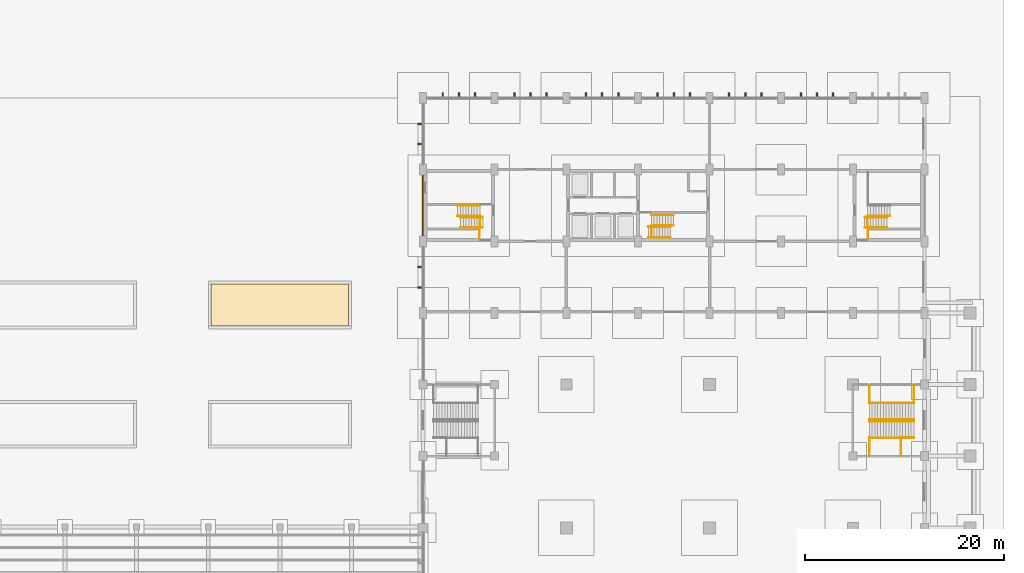
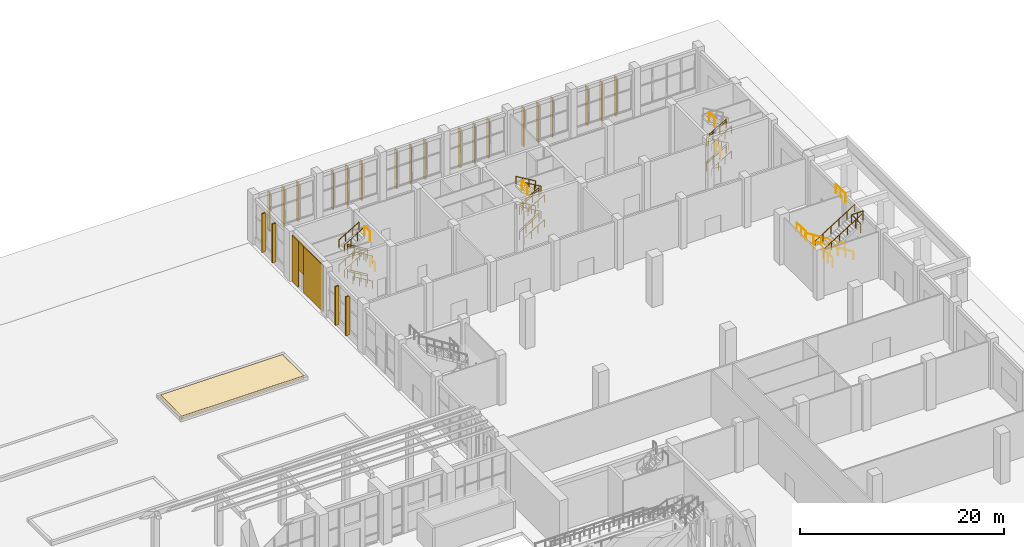
# One storey, part 68 of 70: 40 railings, 27 coverings.
"""IFC4 building model written with IfcOpenShell, lengths in metres."""

from ifc_helpers import new_model, si_unit, direction, frame, frame_2d, origin, origin_2d, place, context, subcontext, project, spatial, polyline, rectangle, circle, outline, extrude, material, layer, layer_set, type_object, element, save


model = new_model("IFC4")

# Units and contexts
model_context = context("Model", 3, precision=1e-05, world=origin(), true_north=direction((0.0, 1.0)))
body_context = subcontext(model_context, "Body", "Model", "MODEL_VIEW")
ifc_project = project(units=[si_unit("LENGTHUNIT", "METRE"), si_unit("AREAUNIT", "SQUARE_METRE"), si_unit("VOLUMEUNIT", "CUBIC_METRE"), si_unit("PLANEANGLEUNIT", "RADIAN"), si_unit("MASSUNIT", "GRAM", prefix="KILO")], contexts=[model_context])

# Site, building, storey
site_placement = place(None, origin())
site = spatial("IfcSite", under=ifc_project, at=site_placement, CompositionType="ELEMENT")
building_placement = place(site_placement, origin())
building = spatial("IfcBuilding", under=site, at=building_placement, Name="Vermilion Court Aquatics Centre", CompositionType="ELEMENT")
storey_placement = place(building_placement, origin())
storey = spatial("IfcBuildingStorey", under=building, at=storey_placement, Name="L00", CompositionType="ELEMENT", Elevation=0.0)

# Coverings
ifc_material_1 = material(Name="Planting soil", Category="soil")
ifc_layer_1 = layer(ifc_material_1, 0.39990234375)
ifc_layer_set_1 = layer_set([ifc_layer_1], Name="Court planting bed soil")
covering_type_1 = type_object("IfcCoveringType", Name="Court planting bed soil", PredefinedType="FLOORING", material=ifc_layer_set_1)
covering_1_placement = place(storey_placement, origin())
element("IfcCovering", 1, at=covering_1_placement, inside=storey, type_object=covering_type_1, Name="Court planting bed soil 8", PredefinedType="FLOORING", context=body_context, shape_type="SweptSolid", body=[
    extrude(outline(polyline([(122.699951171875, 92.300048828125), (136.5, 92.300048828125), (136.5, 96.5), (122.699951171875, 96.5), (122.699951171875, 92.300048828125)])), origin(), (0.0, 0.0, 1.0), 0.39990234375),
])
ifc_material_2 = material(Name="Planting turf", Category="soil")
ifc_layer_2 = layer(ifc_material_2, 0.030029296875)
ifc_layer_set_2 = layer_set([ifc_layer_2], Name="Court planting bed turf")
covering_type_2 = type_object("IfcCoveringType", Name="Court planting bed turf", PredefinedType="FLOORING", material=ifc_layer_set_2)
covering_2_placement = place(storey_placement, frame((0.0, 0.0, 0.39990234375)))
element("IfcCovering", 2, at=covering_2_placement, inside=storey, type_object=covering_type_2, Name="Court planting bed turf 8", PredefinedType="FLOORING", context=body_context, shape_type="SweptSolid", body=[
    extrude(outline(polyline([(122.699951171875, 92.300048828125), (136.5, 92.300048828125), (136.5, 96.5), (122.699951171875, 96.5), (122.699951171875, 92.300048828125)])), origin(), (0.0, 0.0, 1.0), 0.030029296875),
])
ifc_material_3 = material(Name="Brick masonry", Category="masonry")
ifc_layer_3 = layer(ifc_material_3, 0.10205078125)
ifc_layer_set_3 = layer_set([ifc_layer_3], Name="North block brick facing 102")
covering_type_3 = type_object("IfcCoveringType", Name="North block brick facing 102", PredefinedType="CLADDING", material=ifc_layer_set_3)
covering_3_placement = place(storey_placement, origin())
element("IfcCovering", 3, at=covering_3_placement, inside=storey, type_object=covering_type_3, Name="North block brick facing west end 1", PredefinedType="CLADDING", context=body_context, shape_type="SweptSolid", body=[
    extrude(outline(polyline([(143.89794921875, 101.35009765625), (144.0, 101.35009765625), (144.0, 105.199951171875), (143.89794921875, 105.199951171875), (143.89794921875, 101.35009765625)])), origin(), (0.0, 0.0, 1.0), 5.5),
])
covering_4_placement = place(storey_placement, frame((0.0, 0.0, 2.10009765625)))
element("IfcCovering", 4, at=covering_4_placement, inside=storey, type_object=covering_type_3, Name="North block brick facing west end 2", PredefinedType="CLADDING", context=body_context, shape_type="SweptSolid", body=[
    extrude(outline(polyline([(143.89794921875, 105.199951171875), (144.0, 105.199951171875), (144.0, 106.199951171875), (143.89794921875, 106.199951171875), (143.89794921875, 105.199951171875)])), origin(), (0.0, 0.0, 1.0), 3.39990234375),
])
covering_5_placement = place(storey_placement, origin())
element("IfcCovering", 5, at=covering_5_placement, inside=storey, type_object=covering_type_3, Name="North block brick facing west end 3", PredefinedType="CLADDING", context=body_context, shape_type="SweptSolid", body=[
    extrude(outline(polyline([(143.89794921875, 106.199951171875), (144.0, 106.199951171875), (144.0, 107.449951171875), (143.89794921875, 107.449951171875), (143.89794921875, 106.199951171875)])), origin(), (0.0, 0.0, 1.0), 5.5),
])

# Railings
ifc_material_4 = material(Name="Steel ASTM A992 Grade 50", Category="steel")
railing_type_1 = type_object("IfcRailingType", Name="North block stair guard 1100", PredefinedType="GUARDRAIL", material=ifc_material_4)
for number, where, name in (
    (6, (150.0, 103.235107421875, 0.166748046875), "Stair 1 guard well L00"),
    (7, (150.0, 103.235107421875, 3.166748046875), "Stair 1 guard well L00"),
):
    element("IfcRailing", number, at=place(storey_placement, frame(where)), inside=storey, type_object=railing_type_1, Name=name, PredefinedType="GUARDRAIL", context=body_context, shape_type="SweptSolid", body=[
        extrude(circle(Radius=0.02392578125, at=origin_2d()), frame((0.0, 0.0, 1.076171875), z_axis=(-0.859305625298, 0.0, 0.511462454469), x_axis=(0.0, -1.0, 0.0)), (0.0, 0.0, 1.0), 2.606689453125),
        extrude(circle(Radius=0.02099609375, at=origin_2d()), origin(), (0.0, 0.0, 1.0), 1.052001953125),
        extrude(circle(Radius=0.02099609375, at=origin_2d()), frame((-0.74658203125, 0.0, 0.4443359375)), (0.0, 0.0, 1.0), 1.052001953125),
        extrude(circle(Radius=0.02099609375, at=origin_2d()), frame((-1.493408203125, 0.0, 0.888916015625)), (0.0, 0.0, 1.0), 1.052001953125),
        extrude(circle(Radius=0.02099609375, at=origin_2d()), frame((-2.239990234375, 0.0, 1.333251953125)), (0.0, 0.0, 1.0), 1.052001953125),
    ])
railing_1_placement = place(storey_placement, frame((149.699951171875, 103.22998046875, 6.0)))
element("IfcRailing", 8, at=railing_1_placement, inside=storey, type_object=railing_type_1, Name="Stair 1 floor edge guard L00", PredefinedType="GUARDRAIL", context=body_context, shape_type="SweptSolid", body=[
    extrude(circle(Radius=0.02392578125, at=origin_2d()), frame((0.0, 0.0, 1.076171875), z_axis=(0.0, -1.0, 0.0), x_axis=(1.0, 0.0, 0.0)), (0.0, 0.0, 1.0), 1.070068359375),
    extrude(circle(Radius=0.02099609375, at=origin_2d()), origin(), (0.0, 0.0, 1.0), 1.052001953125),
    extrude(circle(Radius=0.02099609375, at=origin_2d()), frame((0.0, -1.070068359375, 0.0)), (0.0, 0.0, 1.0), 1.052001953125),
])
railing_2_placement = place(storey_placement, frame((149.64990234375, 101.10009765625, 3.0)))
element("IfcRailing", 9, at=railing_2_placement, inside=storey, type_object=railing_type_1, Name="Stair 1 guard landing 1 L00", PredefinedType="GUARDRAIL", context=body_context, shape_type="SweptSolid", body=[
    extrude(circle(Radius=0.02392578125, at=origin_2d()), frame((0.0, 0.0, 1.076171875), z_axis=(0.0, 1.0, 0.0), x_axis=(-1.0, 0.0, 0.0)), (0.0, 0.0, 1.0), 0.8798828125),
    extrude(circle(Radius=0.02099609375, at=origin_2d()), origin(), (0.0, 0.0, 1.0), 1.052001953125),
    extrude(circle(Radius=0.02099609375, at=origin_2d()), frame((0.0, 0.8798828125, 0.0)), (0.0, 0.0, 1.0), 1.052001953125),
])
for number, where, name in (
    (10, (188.39990234375, 103.235107421875, 0.166748046875), "Stair 2 guard well L00"),
    (11, (188.39990234375, 103.235107421875, 3.166748046875), "Stair 2 guard well L00"),
):
    element("IfcRailing", number, at=place(storey_placement, frame(where)), inside=storey, type_object=railing_type_1, Name=name, PredefinedType="GUARDRAIL", context=body_context, shape_type="SweptSolid", body=[
        extrude(circle(Radius=0.02392578125, at=origin_2d()), frame((0.0, 0.0, 1.076171875), z_axis=(0.859305625298, 0.0, 0.511462454469), x_axis=(0.0, 1.0, 0.0)), (0.0, 0.0, 1.0), 2.606689453125),
        extrude(circle(Radius=0.02099609375, at=origin_2d()), origin(), (0.0, 0.0, 1.0), 1.052001953125),
        extrude(circle(Radius=0.02099609375, at=origin_2d()), frame((0.74658203125, 0.0, 0.4443359375)), (0.0, 0.0, 1.0), 1.052001953125),
        extrude(circle(Radius=0.02099609375, at=origin_2d()), frame((1.493408203125, 0.0, 0.888916015625)), (0.0, 0.0, 1.0), 1.052001953125),
        extrude(circle(Radius=0.02099609375, at=origin_2d()), frame((2.239990234375, 0.0, 1.333251953125)), (0.0, 0.0, 1.0), 1.052001953125),
    ])
railing_3_placement = place(storey_placement, frame((188.699951171875, 103.22998046875, 6.0)))
element("IfcRailing", 12, at=railing_3_placement, inside=storey, type_object=railing_type_1, Name="Stair 2 floor edge guard L00", PredefinedType="GUARDRAIL", context=body_context, shape_type="SweptSolid", body=[
    extrude(circle(Radius=0.02392578125, at=origin_2d()), frame((0.0, 0.0, 1.076171875), z_axis=(0.0, -1.0, 0.0), x_axis=(1.0, 0.0, 0.0)), (0.0, 0.0, 1.0), 1.070068359375),
    extrude(circle(Radius=0.02099609375, at=origin_2d()), origin(), (0.0, 0.0, 1.0), 1.052001953125),
    extrude(circle(Radius=0.02099609375, at=origin_2d()), frame((0.0, -1.070068359375, 0.0)), (0.0, 0.0, 1.0), 1.052001953125),
])
railing_4_placement = place(storey_placement, frame((188.75, 101.10009765625, 3.0)))
element("IfcRailing", 13, at=railing_4_placement, inside=storey, type_object=railing_type_1, Name="Stair 2 guard landing 1 L00", PredefinedType="GUARDRAIL", context=body_context, shape_type="SweptSolid", body=[
    extrude(circle(Radius=0.02392578125, at=origin_2d()), frame((0.0, 0.0, 1.076171875), z_axis=(0.0, 1.0, 0.0), x_axis=(-1.0, 0.0, 0.0)), (0.0, 0.0, 1.0), 0.8798828125),
    extrude(circle(Radius=0.02099609375, at=origin_2d()), origin(), (0.0, 0.0, 1.0), 1.052001953125),
    extrude(circle(Radius=0.02099609375, at=origin_2d()), frame((0.0, 0.8798828125, 0.0)), (0.0, 0.0, 1.0), 1.052001953125),
])
for number, where, name in (
    (14, (166.64990234375, 102.27490234375, 0.166748046875), "Stair 3 guard well L00"),
    (15, (166.64990234375, 102.27490234375, 3.166748046875), "Stair 3 guard well L00"),
):
    element("IfcRailing", number, at=place(storey_placement, frame(where)), inside=storey, type_object=railing_type_1, Name=name, PredefinedType="GUARDRAIL", context=body_context, shape_type="SweptSolid", body=[
        extrude(circle(Radius=0.02392578125, at=origin_2d()), frame((0.0, 0.0, 1.076171875), z_axis=(0.859305625298, 0.0, 0.511462454469), x_axis=(0.0, 1.0, 0.0)), (0.0, 0.0, 1.0), 2.606689453125),
        extrude(circle(Radius=0.02099609375, at=origin_2d()), origin(), (0.0, 0.0, 1.0), 1.052001953125),
        extrude(circle(Radius=0.02099609375, at=origin_2d()), frame((0.74658203125, 0.0, 0.4443359375)), (0.0, 0.0, 1.0), 1.052001953125),
        extrude(circle(Radius=0.02099609375, at=origin_2d()), frame((1.493408203125, 0.0, 0.888916015625)), (0.0, 0.0, 1.0), 1.052001953125),
        extrude(circle(Radius=0.02099609375, at=origin_2d()), frame((2.239990234375, 0.0, 1.333251953125)), (0.0, 0.0, 1.0), 1.052001953125),
    ])
railing_5_placement = place(storey_placement, frame((166.949951171875, 102.27001953125, 6.0)))
element("IfcRailing", 16, at=railing_5_placement, inside=storey, type_object=railing_type_1, Name="Stair 3 floor edge guard L00", PredefinedType="GUARDRAIL", context=body_context, shape_type="SweptSolid", body=[
    extrude(circle(Radius=0.02392578125, at=origin_2d()), frame((0.0, 0.0, 1.076171875), z_axis=(0.0, -1.0, 0.0), x_axis=(1.0, 0.0, 0.0)), (0.0, 0.0, 1.0), 1.090087890625),
    extrude(circle(Radius=0.02099609375, at=origin_2d()), origin(), (0.0, 0.0, 1.0), 1.052001953125),
    extrude(circle(Radius=0.02099609375, at=origin_2d()), frame((0.0, -1.090087890625, 0.0)), (0.0, 0.0, 1.0), 1.052001953125),
])
ifc_material_5 = material(Name="Steel ASTM A992 Grade 50", Category="steel")
railing_type_2 = type_object("IfcRailingType", Name="North block stair handrail 900", PredefinedType="HANDRAIL", material=ifc_material_5)
for number, where, name in (
    (17, (150.0, 102.179931640625, 0.166748046875), "Stair 1 handrail wall L00"),
    (18, (150.0, 103.18505859375, 0.166748046875), "Stair 1 handrail well L00"),
):
    element("IfcRailing", number, at=place(storey_placement, frame(where)), inside=storey, type_object=railing_type_2, Name=name, PredefinedType="HANDRAIL", context=body_context, shape_type="SweptSolid", body=[
        extrude(circle(Radius=0.02392578125, at=origin_2d()), frame((0.0, 0.0, 0.8759765625), z_axis=(-0.859305625298, 0.0, 0.511462454469), x_axis=(0.0, -1.0, 0.0)), (0.0, 0.0, 1.0), 2.606689453125),
        extrude(circle(Radius=0.02099609375, at=origin_2d()), origin(), (0.0, 0.0, 1.0), 0.851806640625),
        extrude(circle(Radius=0.02099609375, at=origin_2d()), frame((-0.74658203125, 0.0, 0.4443359375)), (0.0, 0.0, 1.0), 0.851806640625),
        extrude(circle(Radius=0.02099609375, at=origin_2d()), frame((-1.493408203125, 0.0, 0.888916015625)), (0.0, 0.0, 1.0), 0.851806640625),
        extrude(circle(Radius=0.02099609375, at=origin_2d()), frame((-2.239990234375, 0.0, 1.333251953125)), (0.0, 0.0, 1.0), 0.851806640625),
    ])
for number, where, name in (
    (19, (147.4599609375, 104.3798828125, 1.666748046875), "Stair 1 handrail wall L00"),
    (20, (147.4599609375, 103.35009765625, 1.666748046875), "Stair 1 handrail well L00"),
):
    element("IfcRailing", number, at=place(storey_placement, frame(where)), inside=storey, type_object=railing_type_2, Name=name, PredefinedType="HANDRAIL", context=body_context, shape_type="SweptSolid", body=[
        extrude(circle(Radius=0.02392578125, at=origin_2d()), frame((0.0, 0.0, 0.8759765625), z_axis=(0.859305625298, 0.0, 0.511462454469), x_axis=(0.0, 1.0, 0.0)), (0.0, 0.0, 1.0), 2.606689453125),
        extrude(circle(Radius=0.02099609375, at=origin_2d()), origin(), (0.0, 0.0, 1.0), 0.851806640625),
        extrude(circle(Radius=0.02099609375, at=origin_2d()), frame((0.74658203125, 0.0, 0.4443359375)), (0.0, 0.0, 1.0), 0.851806640625),
        extrude(circle(Radius=0.02099609375, at=origin_2d()), frame((1.493408203125, 0.0, 0.888916015625)), (0.0, 0.0, 1.0), 0.851806640625),
        extrude(circle(Radius=0.02099609375, at=origin_2d()), frame((2.239990234375, 0.0, 1.333251953125)), (0.0, 0.0, 1.0), 0.851806640625),
    ])
for number, where, name in (
    (21, (150.0, 102.179931640625, 3.166748046875), "Stair 1 handrail wall L00"),
    (22, (150.0, 103.18505859375, 3.166748046875), "Stair 1 handrail well L00"),
):
    element("IfcRailing", number, at=place(storey_placement, frame(where)), inside=storey, type_object=railing_type_2, Name=name, PredefinedType="HANDRAIL", context=body_context, shape_type="SweptSolid", body=[
        extrude(circle(Radius=0.02392578125, at=origin_2d()), frame((0.0, 0.0, 0.8759765625), z_axis=(-0.859305625298, 0.0, 0.511462454469), x_axis=(0.0, -1.0, 0.0)), (0.0, 0.0, 1.0), 2.606689453125),
        extrude(circle(Radius=0.02099609375, at=origin_2d()), origin(), (0.0, 0.0, 1.0), 0.851806640625),
        extrude(circle(Radius=0.02099609375, at=origin_2d()), frame((-0.74658203125, 0.0, 0.4443359375)), (0.0, 0.0, 1.0), 0.851806640625),
        extrude(circle(Radius=0.02099609375, at=origin_2d()), frame((-1.493408203125, 0.0, 0.888916015625)), (0.0, 0.0, 1.0), 0.851806640625),
        extrude(circle(Radius=0.02099609375, at=origin_2d()), frame((-2.239990234375, 0.0, 1.333251953125)), (0.0, 0.0, 1.0), 0.851806640625),
    ])
for number, where, name in (
    (23, (147.4599609375, 104.3798828125, 4.666748046875), "Stair 1 handrail wall L00"),
    (24, (147.4599609375, 103.35009765625, 4.666748046875), "Stair 1 handrail well L00"),
    (25, (188.39990234375, 102.179931640625, 0.166748046875), "Stair 2 handrail wall L00"),
    (26, (188.39990234375, 103.18505859375, 0.166748046875), "Stair 2 handrail well L00"),
):
    element("IfcRailing", number, at=place(storey_placement, frame(where)), inside=storey, type_object=railing_type_2, Name=name, PredefinedType="HANDRAIL", context=body_context, shape_type="SweptSolid", body=[
        extrude(circle(Radius=0.02392578125, at=origin_2d()), frame((0.0, 0.0, 0.8759765625), z_axis=(0.859305625298, 0.0, 0.511462454469), x_axis=(0.0, 1.0, 0.0)), (0.0, 0.0, 1.0), 2.606689453125),
        extrude(circle(Radius=0.02099609375, at=origin_2d()), origin(), (0.0, 0.0, 1.0), 0.851806640625),
        extrude(circle(Radius=0.02099609375, at=origin_2d()), frame((0.74658203125, 0.0, 0.4443359375)), (0.0, 0.0, 1.0), 0.851806640625),
        extrude(circle(Radius=0.02099609375, at=origin_2d()), frame((1.493408203125, 0.0, 0.888916015625)), (0.0, 0.0, 1.0), 0.851806640625),
        extrude(circle(Radius=0.02099609375, at=origin_2d()), frame((2.239990234375, 0.0, 1.333251953125)), (0.0, 0.0, 1.0), 0.851806640625),
    ])
railing_6_placement = place(storey_placement, frame((190.93994140625, 103.35009765625, 1.666748046875)))
element("IfcRailing", 27, at=railing_6_placement, inside=storey, type_object=railing_type_2, Name="Stair 2 handrail well L00", PredefinedType="HANDRAIL", context=body_context, shape_type="SweptSolid", body=[
    extrude(circle(Radius=0.02392578125, at=origin_2d()), frame((0.0, 0.0, 0.8759765625), z_axis=(-0.859305625298, 0.0, 0.511462454469), x_axis=(0.0, -1.0, 0.0)), (0.0, 0.0, 1.0), 2.606689453125),
    extrude(circle(Radius=0.02099609375, at=origin_2d()), origin(), (0.0, 0.0, 1.0), 0.851806640625),
    extrude(circle(Radius=0.02099609375, at=origin_2d()), frame((-0.74658203125, 0.0, 0.4443359375)), (0.0, 0.0, 1.0), 0.851806640625),
    extrude(circle(Radius=0.02099609375, at=origin_2d()), frame((-1.493408203125, 0.0, 0.888916015625)), (0.0, 0.0, 1.0), 0.851806640625),
    extrude(circle(Radius=0.02099609375, at=origin_2d()), frame((-2.239990234375, 0.0, 1.333251953125)), (0.0, 0.0, 1.0), 0.851806640625),
])
for number, where, name in (
    (28, (188.39990234375, 102.179931640625, 3.166748046875), "Stair 2 handrail wall L00"),
    (29, (188.39990234375, 103.18505859375, 3.166748046875), "Stair 2 handrail well L00"),
    (30, (166.64990234375, 101.199951171875, 0.166748046875), "Stair 3 handrail wall L00"),
    (31, (166.64990234375, 102.22509765625, 0.166748046875), "Stair 3 handrail well L00"),
):
    element("IfcRailing", number, at=place(storey_placement, frame(where)), inside=storey, type_object=railing_type_2, Name=name, PredefinedType="HANDRAIL", context=body_context, shape_type="SweptSolid", body=[
        extrude(circle(Radius=0.02392578125, at=origin_2d()), frame((0.0, 0.0, 0.8759765625), z_axis=(0.859305625298, 0.0, 0.511462454469), x_axis=(0.0, 1.0, 0.0)), (0.0, 0.0, 1.0), 2.606689453125),
        extrude(circle(Radius=0.02099609375, at=origin_2d()), origin(), (0.0, 0.0, 1.0), 0.851806640625),
        extrude(circle(Radius=0.02099609375, at=origin_2d()), frame((0.74658203125, 0.0, 0.4443359375)), (0.0, 0.0, 1.0), 0.851806640625),
        extrude(circle(Radius=0.02099609375, at=origin_2d()), frame((1.493408203125, 0.0, 0.888916015625)), (0.0, 0.0, 1.0), 0.851806640625),
        extrude(circle(Radius=0.02099609375, at=origin_2d()), frame((2.239990234375, 0.0, 1.333251953125)), (0.0, 0.0, 1.0), 0.851806640625),
    ])
for number, where, name in (
    (32, (169.18994140625, 103.449951171875, 1.666748046875), "Stair 3 handrail wall L00"),
    (33, (169.18994140625, 102.39990234375, 1.666748046875), "Stair 3 handrail well L00"),
):
    element("IfcRailing", number, at=place(storey_placement, frame(where)), inside=storey, type_object=railing_type_2, Name=name, PredefinedType="HANDRAIL", context=body_context, shape_type="SweptSolid", body=[
        extrude(circle(Radius=0.02392578125, at=origin_2d()), frame((0.0, 0.0, 0.8759765625), z_axis=(-0.859305625298, 0.0, 0.511462454469), x_axis=(0.0, -1.0, 0.0)), (0.0, 0.0, 1.0), 2.606689453125),
        extrude(circle(Radius=0.02099609375, at=origin_2d()), origin(), (0.0, 0.0, 1.0), 0.851806640625),
        extrude(circle(Radius=0.02099609375, at=origin_2d()), frame((-0.74658203125, 0.0, 0.4443359375)), (0.0, 0.0, 1.0), 0.851806640625),
        extrude(circle(Radius=0.02099609375, at=origin_2d()), frame((-1.493408203125, 0.0, 0.888916015625)), (0.0, 0.0, 1.0), 0.851806640625),
        extrude(circle(Radius=0.02099609375, at=origin_2d()), frame((-2.239990234375, 0.0, 1.333251953125)), (0.0, 0.0, 1.0), 0.851806640625),
    ])
for number, where, name in (
    (34, (166.64990234375, 101.199951171875, 3.166748046875), "Stair 3 handrail wall L00"),
    (35, (166.64990234375, 102.22509765625, 3.166748046875), "Stair 3 handrail well L00"),
):
    element("IfcRailing", number, at=place(storey_placement, frame(where)), inside=storey, type_object=railing_type_2, Name=name, PredefinedType="HANDRAIL", context=body_context, shape_type="SweptSolid", body=[
        extrude(circle(Radius=0.02392578125, at=origin_2d()), frame((0.0, 0.0, 0.8759765625), z_axis=(0.859305625298, 0.0, 0.511462454469), x_axis=(0.0, 1.0, 0.0)), (0.0, 0.0, 1.0), 2.606689453125),
        extrude(circle(Radius=0.02099609375, at=origin_2d()), origin(), (0.0, 0.0, 1.0), 0.851806640625),
        extrude(circle(Radius=0.02099609375, at=origin_2d()), frame((0.74658203125, 0.0, 0.4443359375)), (0.0, 0.0, 1.0), 0.851806640625),
        extrude(circle(Radius=0.02099609375, at=origin_2d()), frame((1.493408203125, 0.0, 0.888916015625)), (0.0, 0.0, 1.0), 0.851806640625),
        extrude(circle(Radius=0.02099609375, at=origin_2d()), frame((2.239990234375, 0.0, 1.333251953125)), (0.0, 0.0, 1.0), 0.851806640625),
    ])
for number, where, name in (
    (36, (169.18994140625, 103.449951171875, 4.666748046875), "Stair 3 handrail wall L00"),
    (37, (169.18994140625, 102.39990234375, 4.666748046875), "Stair 3 handrail well L00"),
):
    element("IfcRailing", number, at=place(storey_placement, frame(where)), inside=storey, type_object=railing_type_2, Name=name, PredefinedType="HANDRAIL", context=body_context, shape_type="SweptSolid", body=[
        extrude(circle(Radius=0.02392578125, at=origin_2d()), frame((0.0, 0.0, 0.8759765625), z_axis=(-0.859305625298, 0.0, 0.511462454469), x_axis=(0.0, -1.0, 0.0)), (0.0, 0.0, 1.0), 2.606689453125),
        extrude(circle(Radius=0.02099609375, at=origin_2d()), origin(), (0.0, 0.0, 1.0), 0.851806640625),
        extrude(circle(Radius=0.02099609375, at=origin_2d()), frame((-0.74658203125, 0.0, 0.4443359375)), (0.0, 0.0, 1.0), 0.851806640625),
        extrude(circle(Radius=0.02099609375, at=origin_2d()), frame((-1.493408203125, 0.0, 0.888916015625)), (0.0, 0.0, 1.0), 0.851806640625),
        extrude(circle(Radius=0.02099609375, at=origin_2d()), frame((-2.239990234375, 0.0, 1.333251953125)), (0.0, 0.0, 1.0), 0.851806640625),
    ])
ifc_material_6 = material(Name="Steel ASTM A992 Grade 50", Category="steel")
railing_type_3 = type_object("IfcRailingType", Name="Podium stair guard 1100", PredefinedType="GUARDRAIL", material=ifc_material_6)
for number, where, name in (
    (38, (188.865478515625, 86.33740234375, 3.0), "Stair guard P4"),
    (39, (193.33740234375, 86.33740234375, 6.0), "Stair guard P4"),
):
    element("IfcRailing", number, at=place(storey_placement, frame(where)), inside=storey, type_object=railing_type_3, Name=name, PredefinedType="GUARDRAIL", context=body_context, shape_type="SweptSolid", body=[
        extrude(circle(Radius=0.02392578125, at=origin_2d()), frame((0.0, 0.0, 1.076171875), z_axis=(0.0, -1.0, 0.0), x_axis=(1.0, 0.0, 0.0)), (0.0, 0.0, 1.0), 1.79736328125),
        extrude(circle(Radius=0.02099609375, at=origin_2d()), origin(), (0.0, 0.0, 1.0), 1.052001953125),
        extrude(circle(Radius=0.02099609375, at=origin_2d()), frame((0.0, -0.898681640625, 0.0)), (0.0, 0.0, 1.0), 1.052001953125),
        extrude(circle(Radius=0.02099609375, at=origin_2d()), frame((0.0, -1.79736328125, 0.0)), (0.0, 0.0, 1.0), 1.052001953125),
    ])
railing_7_placement = place(storey_placement, frame((188.865478515625, 79.262451171875, 3.0)))
element("IfcRailing", 40, at=railing_7_placement, inside=storey, type_object=railing_type_3, Name="Stair guard P4", PredefinedType="GUARDRAIL", context=body_context, shape_type="SweptSolid", body=[
    extrude(circle(Radius=0.02392578125, at=origin_2d()), frame((0.0, 0.0, 1.076171875), z_axis=(0.0, 1.0, 0.0), x_axis=(-1.0, 0.0, 0.0)), (0.0, 0.0, 1.0), 1.797607421875),
    extrude(circle(Radius=0.02099609375, at=origin_2d()), origin(), (0.0, 0.0, 1.0), 1.052001953125),
    extrude(circle(Radius=0.02099609375, at=origin_2d()), frame((0.0, 0.89892578125, 0.0)), (0.0, 0.0, 1.0), 1.052001953125),
    extrude(circle(Radius=0.02099609375, at=origin_2d()), frame((0.0, 1.797607421875, 0.0)), (0.0, 0.0, 1.0), 1.052001953125),
])
railing_8_placement = place(storey_placement, frame((192.03759765625, 79.262451171875, 6.0)))
element("IfcRailing", 41, at=railing_8_placement, inside=storey, type_object=railing_type_3, Name="Stair guard P4", PredefinedType="GUARDRAIL", context=body_context, shape_type="SweptSolid", body=[
    extrude(circle(Radius=0.02392578125, at=origin_2d()), frame((0.0, 0.0, 1.076171875), z_axis=(0.0, 1.0, 0.0), x_axis=(-1.0, 0.0, 0.0)), (0.0, 0.0, 1.0), 1.797607421875),
    extrude(circle(Radius=0.02392578125, at=origin_2d()), frame((0.0, 1.797607421875, 1.076171875), z_axis=(1.0, 0.0, 0.0), x_axis=(0.0, 1.0, 0.0)), (0.0, 0.0, 1.0), 1.2998046875),
    extrude(circle(Radius=0.02099609375, at=origin_2d()), origin(), (0.0, 0.0, 1.0), 1.052001953125),
    extrude(circle(Radius=0.02099609375, at=origin_2d()), frame((0.0, 0.89892578125, 0.0)), (0.0, 0.0, 1.0), 1.052001953125),
    extrude(circle(Radius=0.02099609375, at=origin_2d()), frame((0.0, 1.797607421875, 0.0)), (0.0, 0.0, 1.0), 1.052001953125),
    extrude(circle(Radius=0.02099609375, at=origin_2d()), frame((0.64990234375, 1.797607421875, 0.0)), (0.0, 0.0, 1.0), 1.052001953125),
    extrude(circle(Radius=0.02099609375, at=origin_2d()), frame((1.2998046875, 1.797607421875, 0.0)), (0.0, 0.0, 1.0), 1.052001953125),
])
ifc_material_7 = material(Name="Steel ASTM A992 Grade 50", Category="steel")
railing_type_4 = type_object("IfcRailingType", Name="Podium stair handrail 900", PredefinedType="HANDRAIL", material=ifc_material_7)
for number, where, name in (
    (42, (193.33740234375, 84.570068359375, 0.176513671875), "Stair handrail P4"),
    (43, (193.33740234375, 82.909912109375, 0.176513671875), "Stair handrail P4"),
):
    element("IfcRailing", number, at=place(storey_placement, frame(where)), inside=storey, type_object=railing_type_4, Name=name, PredefinedType="HANDRAIL", context=body_context, shape_type="SweptSolid", body=[
        extrude(circle(Radius=0.02392578125, at=origin_2d()), frame((0.0, 0.0, 0.8759765625), z_axis=(-0.845564583299, 0.0, 0.533873145485), x_axis=(0.0, -1.0, 0.0)), (0.0, 0.0, 1.0), 5.28857421875),
        extrude(circle(Radius=0.02099609375, at=origin_2d()), origin(), (0.0, 0.0, 1.0), 0.851806640625),
        extrude(circle(Radius=0.02099609375, at=origin_2d()), frame((-0.894287109375, 0.0, 0.564697265625)), (0.0, 0.0, 1.0), 0.851806640625),
        extrude(circle(Radius=0.02099609375, at=origin_2d()), frame((-1.788818359375, 0.0, 1.12939453125)), (0.0, 0.0, 1.0), 0.851806640625),
        extrude(circle(Radius=0.02099609375, at=origin_2d()), frame((-2.68310546875, 0.0, 1.694091796875)), (0.0, 0.0, 1.0), 0.851806640625),
        extrude(circle(Radius=0.02099609375, at=origin_2d()), frame((-3.57763671875, 0.0, 2.2587890625)), (0.0, 0.0, 1.0), 0.851806640625),
        extrude(circle(Radius=0.02099609375, at=origin_2d()), frame((-4.471923828125, 0.0, 2.823486328125)), (0.0, 0.0, 1.0), 0.851806640625),
    ])
for number, where, name in (
    (44, (188.865478515625, 82.68994140625, 3.176513671875), "Stair handrail P4"),
    (45, (188.865478515625, 81.030029296875, 3.176513671875), "Stair handrail P4"),
):
    element("IfcRailing", number, at=place(storey_placement, frame(where)), inside=storey, type_object=railing_type_4, Name=name, PredefinedType="HANDRAIL", context=body_context, shape_type="SweptSolid", body=[
        extrude(circle(Radius=0.02392578125, at=origin_2d()), frame((0.0, 0.0, 0.8759765625), z_axis=(0.845564583299, 0.0, 0.533873145485), x_axis=(0.0, 1.0, 0.0)), (0.0, 0.0, 1.0), 5.28857421875),
        extrude(circle(Radius=0.02099609375, at=origin_2d()), origin(), (0.0, 0.0, 1.0), 0.851806640625),
        extrude(circle(Radius=0.02099609375, at=origin_2d()), frame((0.894287109375, 0.0, 0.564697265625)), (0.0, 0.0, 1.0), 0.851806640625),
        extrude(circle(Radius=0.02099609375, at=origin_2d()), frame((1.788818359375, 0.0, 1.12939453125)), (0.0, 0.0, 1.0), 0.851806640625),
        extrude(circle(Radius=0.02099609375, at=origin_2d()), frame((2.68310546875, 0.0, 1.694091796875)), (0.0, 0.0, 1.0), 0.851806640625),
        extrude(circle(Radius=0.02099609375, at=origin_2d()), frame((3.57763671875, 0.0, 2.2587890625)), (0.0, 0.0, 1.0), 0.851806640625),
        extrude(circle(Radius=0.02099609375, at=origin_2d()), frame((4.471923828125, 0.0, 2.823486328125)), (0.0, 0.0, 1.0), 0.851806640625),
    ])

# Coverings
ifc_material_8 = material(Name="Terracotta cladding", Category="masonry")
ifc_layer_4 = layer(ifc_material_8, 0.14990234375)
ifc_layer_set_4 = layer_set([ifc_layer_4], Name="Podium terracotta sunscreen fin 150")
covering_type_4 = type_object("IfcCoveringType", Name="Podium terracotta sunscreen fin 150", PredefinedType="CLADDING", material=ifc_layer_set_4)
for number, where, z_axis, x_axis, name in (
    (46, (145.97509765625, 115.35009765625, 0.449951171875), (0.0, 0.0, 1.0), (0.0, 1.0, 0.0), "Sunscreen fin L00"),
    (47, (147.60009765625, 115.35009765625, 0.449951171875), (0.0, 0.0, 1.0), (0.0, 1.0, 0.0), "Sunscreen fin L00"),
    (48, (149.22509765625, 115.35009765625, 0.449951171875), (0.0, 0.0, 1.0), (0.0, 1.0, 0.0), "Sunscreen fin L00"),
    (49, (153.175048828125, 115.35009765625, 0.449951171875), (0.0, 0.0, 1.0), (0.0, 1.0, 0.0), "Sunscreen fin L00"),
    (50, (154.800048828125, 115.35009765625, 0.449951171875), (0.0, 0.0, 1.0), (0.0, 1.0, 0.0), "Sunscreen fin L00"),
    (51, (156.425048828125, 115.35009765625, 0.449951171875), (0.0, 0.0, 1.0), (0.0, 1.0, 0.0), "Sunscreen fin L00"),
    (52, (160.375, 115.35009765625, 0.449951171875), (0.0, 0.0, 1.0), (0.0, 1.0, 0.0), "Sunscreen fin L00"),
    (53, (162.0, 115.35009765625, 0.449951171875), (0.0, 0.0, 1.0), (0.0, 1.0, 0.0), "Sunscreen fin L00"),
    (54, (163.625, 115.35009765625, 0.449951171875), (0.0, 0.0, 1.0), (0.0, 1.0, 0.0), "Sunscreen fin L00"),
    (55, (167.574951171875, 115.35009765625, 0.449951171875), (0.0, 0.0, 1.0), (0.0, 1.0, 0.0), "Sunscreen fin L00"),
    (56, (169.199951171875, 115.35009765625, 0.449951171875), (0.0, 0.0, 1.0), (0.0, 1.0, 0.0), "Sunscreen fin L00"),
    (57, (170.824951171875, 115.35009765625, 0.449951171875), (0.0, 0.0, 1.0), (0.0, 1.0, 0.0), "Sunscreen fin L00"),
    (58, (174.77490234375, 115.35009765625, 0.449951171875), (0.0, 0.0, 1.0), (0.0, 1.0, 0.0), "Sunscreen fin L00"),
    (59, (176.39990234375, 115.35009765625, 0.449951171875), (0.0, 0.0, 1.0), (0.0, 1.0, 0.0), "Sunscreen fin L00"),
    (60, (178.02490234375, 115.35009765625, 0.449951171875), (0.0, 0.0, 1.0), (0.0, 1.0, 0.0), "Sunscreen fin L00"),
    (61, (181.97509765625, 115.35009765625, 0.449951171875), (0.0, 0.0, 1.0), (0.0, 1.0, 0.0), "Sunscreen fin L00"),
    (62, (183.60009765625, 115.35009765625, 0.449951171875), (0.0, 0.0, 1.0), (0.0, 1.0, 0.0), "Sunscreen fin L00"),
    (63, (185.22509765625, 115.35009765625, 0.449951171875), (0.0, 0.0, 1.0), (0.0, 1.0, 0.0), "Sunscreen fin L00"),
):
    element("IfcCovering", number, at=place(storey_placement, frame(where, z_axis=z_axis, x_axis=x_axis)), inside=storey, type_object=covering_type_4, Name=name, PredefinedType="CLADDING", context=body_context, shape_type="SweptSolid", body=[
        extrude(rectangle(XDim=0.39990234375, YDim=0.14990234375, at=frame_2d((0.199951171875, 0.0))), origin(), (0.0, 0.0, 1.0), 4.650146484375),
    ])
for number, where, z_axis, x_axis, name in (
    (64, (143.85009765625, 96.183349609375, 0.449951171875), (0.0, 0.0, 1.0), (-1.0, 0.0, 0.0), "Sunscreen fin L00"),
    (65, (143.85009765625, 98.216796875, 0.449951171875), (0.0, 0.0, 1.0), (-1.0, 0.0, 0.0), "Sunscreen fin L00"),
    (66, (143.85009765625, 110.583251953125, 0.449951171875), (0.0, 0.0, 1.0), (-1.0, 0.0, 0.0), "Sunscreen fin L00"),
    (67, (143.85009765625, 112.61669921875, 0.449951171875), (0.0, 0.0, 1.0), (-1.0, 0.0, 0.0), "Sunscreen fin L00"),
):
    element("IfcCovering", number, at=place(storey_placement, frame(where, z_axis=z_axis, x_axis=x_axis)), inside=storey, type_object=covering_type_4, Name=name, PredefinedType="CLADDING", context=body_context, shape_type="SweptSolid", body=[
        extrude(rectangle(XDim=0.400146484375, YDim=0.14990234375, at=frame_2d((0.2001953125, 0.0))), origin(), (0.0, 0.0, 1.0), 4.650146484375),
    ])

save(model, "model.ifc")
